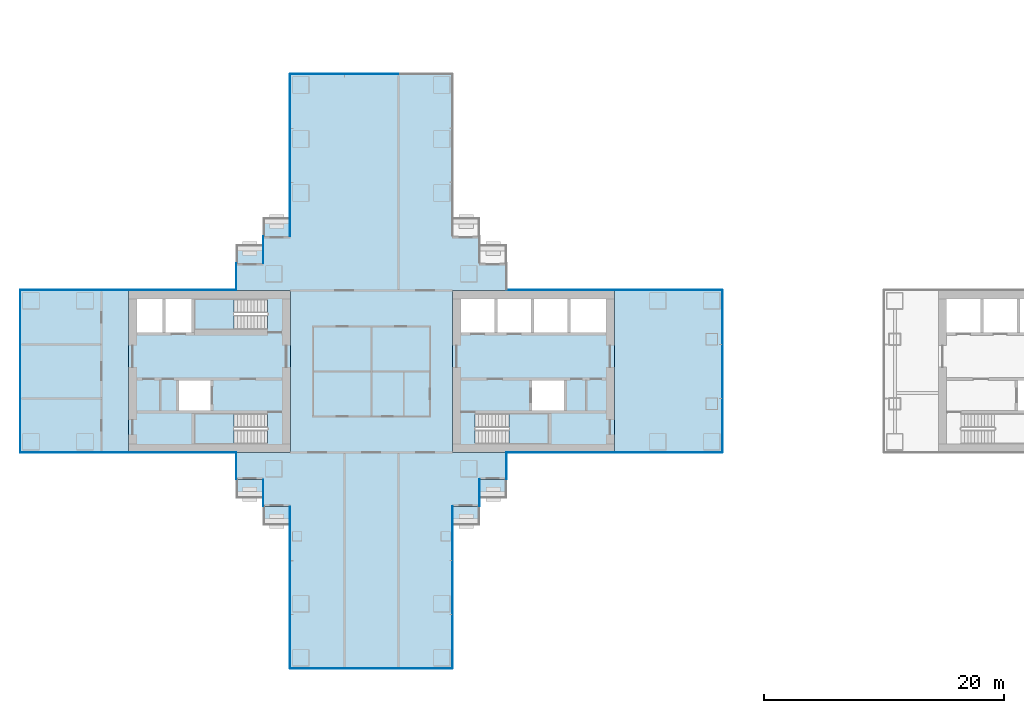
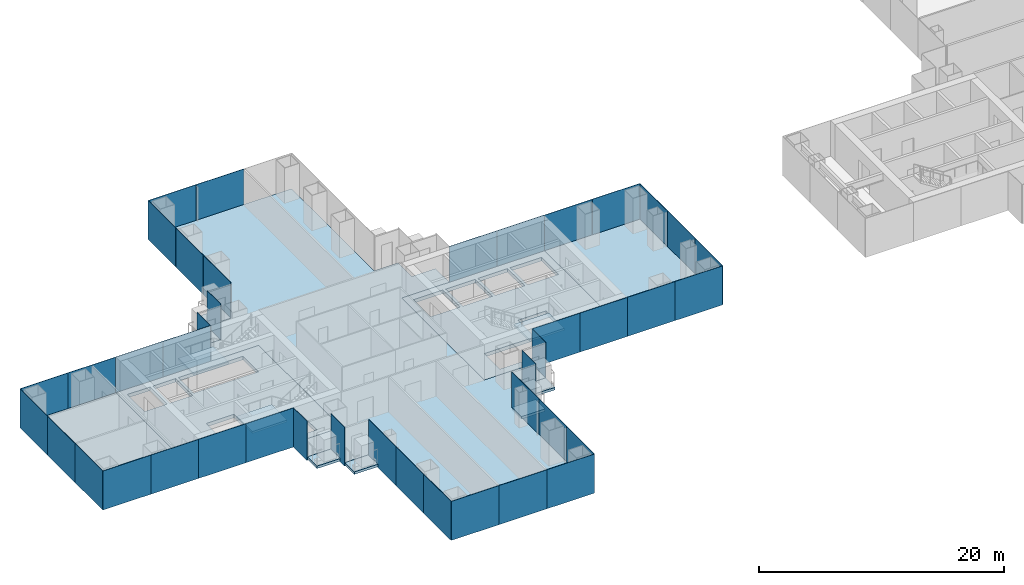
# One storey, part 10 of 21: 42 plates, 14 slabs, 21 elements without a shape of their own.
"""IFC4 building model written with IfcOpenShell, lengths in metres."""

from ifc_helpers import new_model, si_unit, direction, frame, origin, origin_2d, place, context, subcontext, project, spatial, polyline, rectangle, outline, extrude, material, layer, layer_set, type_object, element, aggregate, save


model = new_model("IFC4")

# Units and contexts
model_context = context("Model", 3, precision=1e-05, world=origin(), true_north=direction((0.0, 1.0)))
body_context = subcontext(model_context, "Body", "Model", "MODEL_VIEW")
ifc_project = project(units=[si_unit("LENGTHUNIT", "METRE"), si_unit("AREAUNIT", "SQUARE_METRE"), si_unit("VOLUMEUNIT", "CUBIC_METRE"), si_unit("PLANEANGLEUNIT", "RADIAN"), si_unit("MASSUNIT", "GRAM", prefix="KILO")], contexts=[model_context])

# Site, building, storey
site_placement = place(None, origin())
site = spatial("IfcSite", under=ifc_project, at=site_placement, CompositionType="ELEMENT")
building_placement = place(site_placement, origin())
building = spatial("IfcBuilding", under=site, at=building_placement, Name="Shamsa Quay Exchange Towers", CompositionType="ELEMENT")
storey_placement = place(building_placement, frame((0.0, 0.0, 42.0)))
storey = spatial("IfcBuildingStorey", under=building, at=storey_placement, Name="L08", CompositionType="ELEMENT", Elevation=42.0)

# Slabs
ifc_material_1 = material(Name="Precast concrete C40/50", Category="concrete")
ifc_layer_1 = layer(ifc_material_1, 0.25)
ifc_layer_set_1 = layer_set([ifc_layer_1], Name="BALCONY SLAB 250")
slab_type_1 = type_object("IfcSlabType", Name="BALCONY SLAB 250", PredefinedType="FLOOR", material=ifc_layer_set_1)
slab_1_placement = place(storey_placement, frame((0.0, 0.0, -0.25)))
element("IfcSlab", 1, at=slab_1_placement, inside=storey, type_object=slab_type_1, Name="Balcony T1-PKES L08", PredefinedType="FLOOR", context=body_context, shape_type="SweptSolid", body=[
    extrude(outline(polyline([(-24.7119140625, -9.0), (-22.5, -9.0), (-22.5, -10.550048828125), (-24.7119140625, -10.550048828125), (-24.7119140625, -9.0)])), origin(), (0.0, 0.0, 1.0), 0.25),
])
slab_2_placement = place(storey_placement, frame((0.0, 0.0, -0.25)))
element("IfcSlab", 2, at=slab_2_placement, inside=storey, type_object=slab_type_1, Name="Balcony T1-PKES L08", PredefinedType="FLOOR", context=body_context, shape_type="SweptSolid", body=[
    extrude(outline(polyline([(-26.9619140625, -11.25), (-24.75, -11.25), (-24.75, -12.800048828125), (-26.9619140625, -12.800048828125), (-26.9619140625, -11.25)])), origin(), (0.0, 0.0, 1.0), 0.25),
])
slab_3_placement = place(storey_placement, frame((0.0, 0.0, -0.25)))
element("IfcSlab", 3, at=slab_3_placement, inside=storey, type_object=slab_type_1, Name="Balcony T1-PKWN L08", PredefinedType="FLOOR", context=body_context, shape_type="SweptSolid", body=[
    extrude(outline(polyline([(-40.5380859375, 11.25), (-42.75, 11.25), (-42.75, 12.800048828125), (-40.5380859375, 12.800048828125), (-40.5380859375, 11.25)])), origin(), (0.0, 0.0, 1.0), 0.25),
])
slab_4_placement = place(storey_placement, frame((0.0, 0.0, -0.25)))
element("IfcSlab", 4, at=slab_4_placement, inside=storey, type_object=slab_type_1, Name="Balcony T1-PKWN L08", PredefinedType="FLOOR", context=body_context, shape_type="SweptSolid", body=[
    extrude(outline(polyline([(-42.7880859375, 9.0), (-45.0, 9.0), (-45.0, 10.550048828125), (-42.7880859375, 10.550048828125), (-42.7880859375, 9.0)])), origin(), (0.0, 0.0, 1.0), 0.25),
])
slab_5_placement = place(storey_placement, frame((0.0, 0.0, -0.25)))
element("IfcSlab", 5, at=slab_5_placement, inside=storey, type_object=slab_type_1, Name="Balcony T1-PKWS L08", PredefinedType="FLOOR", context=body_context, shape_type="SweptSolid", body=[
    extrude(outline(polyline([(-45.0, -9.0), (-42.7880859375, -9.0), (-42.7880859375, -10.550048828125), (-45.0, -10.550048828125), (-45.0, -9.0)])), origin(), (0.0, 0.0, 1.0), 0.25),
])
slab_6_placement = place(storey_placement, frame((0.0, 0.0, -0.25)))
element("IfcSlab", 6, at=slab_6_placement, inside=storey, type_object=slab_type_1, Name="Balcony T1-PKWS L08", PredefinedType="FLOOR", context=body_context, shape_type="SweptSolid", body=[
    extrude(outline(polyline([(-42.75, -11.25), (-40.5380859375, -11.25), (-40.5380859375, -12.800048828125), (-42.75, -12.800048828125), (-42.75, -11.25)])), origin(), (0.0, 0.0, 1.0), 0.25),
])
ifc_material_2 = material(Name="Concrete C50/60", Category="concrete")
ifc_layer_2 = layer(ifc_material_2, 0.35009765625)
ifc_layer_set_2 = layer_set([ifc_layer_2], Name="CORE FLOOR 350 C50/60")
slab_type_2 = type_object("IfcSlabType", Name="CORE FLOOR 350 C50/60", PredefinedType="FLOOR", material=ifc_layer_set_2)
slab_7_placement = place(storey_placement, frame((0.0, 0.0, -0.35009765625)))
element("IfcSlab", 7, at=slab_7_placement, inside=storey, type_object=slab_type_2, Name="Core floor T1A", PredefinedType="FLOOR", context=body_context, shape_type="SweptSolid", body=[
    extrude(outline(polyline([(-27.0, -6.75), (-13.5, -6.75), (-13.5, 6.75), (-27.0, 6.75), (-27.0, -6.75)]), holes=[polyline([(-25.099365234375, -6.050048828125), (-25.099365234375, -3.5), (-19.0, -3.5), (-19.0, -6.050048828125), (-25.099365234375, -6.050048828125)]), polyline([(-26.300048828125, 3.25), (-26.300048828125, 6.050048828125), (-23.5, 6.050048828125), (-23.5, 3.25), (-26.300048828125, 3.25)]), polyline([(-23.25, 3.25), (-23.25, 6.050048828125), (-20.449951171875, 6.050048828125), (-20.449951171875, 3.25), (-23.25, 3.25)]), polyline([(-20.199951171875, 3.25), (-20.199951171875, 6.050048828125), (-17.39990234375, 6.050048828125), (-17.39990234375, 3.25), (-20.199951171875, 3.25)]), polyline([(-17.14990234375, 3.25), (-17.14990234375, 6.050048828125), (-14.199951171875, 6.050048828125), (-14.199951171875, 3.25), (-17.14990234375, 3.25)]), polyline([(-20.35009765625, -3.25), (-20.35009765625, -0.75), (-17.699951171875, -0.75), (-17.699951171875, -3.25), (-20.35009765625, -3.25)])]), origin(), (0.0, 0.0, 1.0), 0.35009765625),
])
slab_8_placement = place(storey_placement, frame((0.0, 0.0, -0.35009765625)))
element("IfcSlab", 8, at=slab_8_placement, inside=storey, type_object=slab_type_2, Name="Core floor T1B", PredefinedType="FLOOR", context=body_context, shape_type="SweptSolid", body=[
    extrude(outline(polyline([(-40.5, -6.75), (-40.5, 6.75), (-54.0, 6.75), (-54.0, -6.75), (-40.5, -6.75)]), holes=[polyline([(-42.400634765625, -3.5), (-42.400634765625, -6.050048828125), (-48.5, -6.050048828125), (-48.5, -3.5), (-42.400634765625, -3.5)]), polyline([(-42.400634765625, 6.050048828125), (-42.400634765625, 3.5), (-48.5, 3.5), (-48.5, 6.050048828125), (-42.400634765625, 6.050048828125)]), polyline([(-48.75, 3.25), (-50.89990234375, 3.25), (-50.89990234375, 6.050048828125), (-48.75, 6.050048828125), (-48.75, 3.25)]), polyline([(-51.14990234375, 3.25), (-53.300048828125, 3.25), (-53.300048828125, 6.050048828125), (-51.14990234375, 6.050048828125), (-51.14990234375, 3.25)]), polyline([(-47.14990234375, -3.25), (-49.800048828125, -3.25), (-49.800048828125, -0.75), (-47.14990234375, -0.75), (-47.14990234375, -3.25)])]), origin(), (0.0, 0.0, 1.0), 0.35009765625),
])

# Stair, slab
ifc_material_3 = material(Name="Concrete C40/50", Category="concrete")
stair_type = type_object("IfcStairType", Name="EXIT STAIR 22 RISERS 177 MM", PredefinedType="HALF_TURN_STAIR", material=ifc_material_3)
stair_1_placement = place(storey_placement, origin())
stair_1 = element("IfcStair", 9, at=stair_1_placement, inside=storey, type_object=stair_type, Name="L08 Exit stair ST1", PredefinedType="HALF_TURN_STAIR")
ifc_layer_3 = layer(ifc_material_3, 0.199951171875)
ifc_layer_set_3 = layer_set([ifc_layer_3], Name="CORE STAIR LANDING")
slab_type_3 = type_object("IfcSlabType", Name="CORE STAIR LANDING", PredefinedType="LANDING", material=ifc_layer_set_3)
slab_9_placement = place(storey_placement, frame((0.0, 0.0, 1.75)))
slab_9 = element("IfcSlab", 10, at=slab_9_placement, type_object=slab_type_3, Name="ST1 landing 1", PredefinedType="LANDING", context=body_context, shape_type="SweptSolid", body=[
    extrude(outline(polyline([(-22.300048828125, -6.050048828125), (-19.0, -6.050048828125), (-19.0, -3.5), (-22.300048828125, -3.5), (-22.300048828125, -6.050048828125)])), origin(), (0.0, 0.0, 1.0), 0.199951171875),
])
aggregate(stair_1, [slab_9])

stair_2_placement = place(storey_placement, origin())
stair_2 = element("IfcStair", 11, at=stair_2_placement, inside=storey, type_object=stair_type, Name="L08 Exit stair ST2", PredefinedType="HALF_TURN_STAIR")
slab_10_placement = place(storey_placement, frame((0.0, 0.0, 1.75)))
slab_10 = element("IfcSlab", 12, at=slab_10_placement, type_object=slab_type_3, Name="ST2 landing 1", PredefinedType="LANDING", context=body_context, shape_type="SweptSolid", body=[
    extrude(outline(polyline([(-45.199951171875, -3.5), (-48.5, -3.5), (-48.5, -6.050048828125), (-45.199951171875, -6.050048828125), (-45.199951171875, -3.5)])), origin(), (0.0, 0.0, 1.0), 0.199951171875),
])
aggregate(stair_2, [slab_10])

stair_3_placement = place(storey_placement, origin())
stair_3 = element("IfcStair", 13, at=stair_3_placement, inside=storey, type_object=stair_type, Name="L08 Exit stair ST3", PredefinedType="HALF_TURN_STAIR")
slab_11_placement = place(storey_placement, frame((0.0, 0.0, 1.75)))
slab_11 = element("IfcSlab", 14, at=slab_11_placement, type_object=slab_type_3, Name="ST3 landing 1", PredefinedType="LANDING", context=body_context, shape_type="SweptSolid", body=[
    extrude(outline(polyline([(-45.199951171875, 6.050048828125), (-48.5, 6.050048828125), (-48.5, 3.5), (-45.199951171875, 3.5), (-45.199951171875, 6.050048828125)])), origin(), (0.0, 0.0, 1.0), 0.199951171875),
])
aggregate(stair_3, [slab_11])

# Curtain wall, plates
ifc_material_4 = material(Name="Aluminium EN AW-6063 T6, black anodised", Category="aluminium")
ifc_layer_4 = layer(ifc_material_4, 0.280029296875)
ifc_layer_set_4 = layer_set([ifc_layer_4], Name="CW-1 UNITISED VISION GLASS")
curtain_wall_type_1 = type_object("IfcCurtainWallType", Name="CW-1 UNITISED VISION GLASS", PredefinedType="NOTDEFINED", material=ifc_layer_set_4)
curtain_wall_1_placement = place(storey_placement, origin())
curtain_wall_1 = element("IfcCurtainWall", 15, at=curtain_wall_1_placement, inside=storey, type_object=curtain_wall_type_1, Name="CW1 T1-FLK-V-W L08", PredefinedType="NOTDEFINED")
ifc_material_5 = material(Name="Glass, laminated, dark tinted", Category="glass")
ifc_layer_5 = layer(ifc_material_5, 0.0400390625)
ifc_layer_set_5 = layer_set([ifc_layer_5], Name="CW-1 VISION GLASS 40")
plate_type_1 = type_object("IfcPlateType", Name="CW-1 VISION GLASS 40", PredefinedType="CURTAIN_PANEL", material=ifc_layer_set_5)
plate_1_placement = place(storey_placement, frame((-40.52001953125, -13.529052734375, -0.349853515625), z_axis=(0.0, 0.0, 1.0), x_axis=(0.0, -1.0, 0.0)))
plate_1 = element("IfcPlate", 16, at=plate_1_placement, type_object=plate_type_1, Name="CW1 glass panel", PredefinedType="CURTAIN_PANEL", context=body_context, shape_type="SweptSolid", body=[
    extrude(rectangle(XDim=4.482421875, YDim=0.0400390625, at=origin_2d()), origin(), (0.0, 0.0, 1.0), 3.89990234375),
])
plate_2_placement = place(storey_placement, frame((-40.52001953125, -18.01904296875, -0.349853515625), z_axis=(0.0, 0.0, 1.0), x_axis=(0.0, -1.0, 0.0)))
plate_2 = element("IfcPlate", 17, at=plate_2_placement, type_object=plate_type_1, Name="CW1 glass panel", PredefinedType="CURTAIN_PANEL", context=body_context, shape_type="SweptSolid", body=[
    extrude(rectangle(XDim=4.477294921875, YDim=0.0400390625, at=origin_2d()), origin(), (0.0, 0.0, 1.0), 3.89990234375),
])
plate_3_placement = place(storey_placement, frame((-40.52001953125, -22.5087890625, -0.349853515625), z_axis=(0.0, 0.0, 1.0), x_axis=(0.0, -1.0, 0.0)))
plate_3 = element("IfcPlate", 18, at=plate_3_placement, type_object=plate_type_1, Name="CW1 glass panel", PredefinedType="CURTAIN_PANEL", context=body_context, shape_type="SweptSolid", body=[
    extrude(rectangle(XDim=4.482421875, YDim=0.0400390625, at=origin_2d()), origin(), (0.0, 0.0, 1.0), 3.89990234375),
])
aggregate(curtain_wall_1, [plate_1, plate_2, plate_3])

curtain_wall_2_placement = place(storey_placement, origin())
curtain_wall_2 = element("IfcCurtainWall", 19, at=curtain_wall_2_placement, inside=storey, type_object=curtain_wall_type_1, Name="CW1 T1-END-V- L08", PredefinedType="NOTDEFINED")
plate_4_placement = place(storey_placement, frame((-38.25244140625, -24.77001953125, -0.349853515625)))
plate_4 = element("IfcPlate", 20, at=plate_4_placement, type_object=plate_type_1, Name="CW1 glass panel", PredefinedType="CURTAIN_PANEL", context=body_context, shape_type="SweptSolid", body=[
    extrude(rectangle(XDim=4.4951171875, YDim=0.0400390625, at=origin_2d()), origin(), (0.0, 0.0, 1.0), 3.89990234375),
])
plate_5_placement = place(storey_placement, frame((-33.75, -24.77001953125, -0.349853515625)))
plate_5 = element("IfcPlate", 21, at=plate_5_placement, type_object=plate_type_1, Name="CW1 glass panel", PredefinedType="CURTAIN_PANEL", context=body_context, shape_type="SweptSolid", body=[
    extrude(rectangle(XDim=4.489990234375, YDim=0.0400390625, at=origin_2d()), origin(), (0.0, 0.0, 1.0), 3.89990234375),
])
plate_6_placement = place(storey_placement, frame((-29.24755859375, -24.77001953125, -0.349853515625)))
plate_6 = element("IfcPlate", 22, at=plate_6_placement, type_object=plate_type_1, Name="CW1 glass panel", PredefinedType="CURTAIN_PANEL", context=body_context, shape_type="SweptSolid", body=[
    extrude(rectangle(XDim=4.4951171875, YDim=0.0400390625, at=origin_2d()), origin(), (0.0, 0.0, 1.0), 3.89990234375),
])
aggregate(curtain_wall_2, [plate_4, plate_5, plate_6])

curtain_wall_3_placement = place(storey_placement, origin())
curtain_wall_3 = element("IfcCurtainWall", 23, at=curtain_wall_3_placement, inside=storey, type_object=curtain_wall_type_1, Name="CW1 T1-FLK-V-E L08", PredefinedType="NOTDEFINED")
plate_7_placement = place(storey_placement, frame((-26.97998046875, -22.50244140625, -0.349853515625), z_axis=(0.0, 0.0, 1.0), x_axis=(0.0, 1.0, 0.0)))
plate_7 = element("IfcPlate", 24, at=plate_7_placement, type_object=plate_type_1, Name="CW1 glass panel", PredefinedType="CURTAIN_PANEL", context=body_context, shape_type="SweptSolid", body=[
    extrude(rectangle(XDim=4.4951171875, YDim=0.0400390625, at=origin_2d()), origin(), (0.0, 0.0, 1.0), 3.89990234375),
])
plate_8_placement = place(storey_placement, frame((-26.97998046875, -18.0, -0.349853515625), z_axis=(0.0, 0.0, 1.0), x_axis=(0.0, 1.0, 0.0)))
plate_8 = element("IfcPlate", 25, at=plate_8_placement, type_object=plate_type_1, Name="CW1 glass panel", PredefinedType="CURTAIN_PANEL", context=body_context, shape_type="SweptSolid", body=[
    extrude(rectangle(XDim=4.489990234375, YDim=0.0400390625, at=origin_2d()), origin(), (0.0, 0.0, 1.0), 3.89990234375),
])
plate_9_placement = place(storey_placement, frame((-26.97998046875, -13.49755859375, -0.349853515625), z_axis=(0.0, 0.0, 1.0), x_axis=(0.0, 1.0, 0.0)))
plate_9 = element("IfcPlate", 26, at=plate_9_placement, type_object=plate_type_1, Name="CW1 glass panel", PredefinedType="CURTAIN_PANEL", context=body_context, shape_type="SweptSolid", body=[
    extrude(rectangle(XDim=4.4951171875, YDim=0.0400390625, at=origin_2d()), origin(), (0.0, 0.0, 1.0), 3.89990234375),
])
aggregate(curtain_wall_3, [plate_7, plate_8, plate_9])

curtain_wall_4_placement = place(storey_placement, origin())
curtain_wall_4 = element("IfcCurtainWall", 27, at=curtain_wall_4_placement, inside=storey, type_object=curtain_wall_type_1, Name="CW1 T1-FLK-U+S L08", PredefinedType="NOTDEFINED")
plate_10_placement = place(storey_placement, frame((-11.25244140625, -6.77001953125, -0.349853515625)))
plate_10 = element("IfcPlate", 28, at=plate_10_placement, type_object=plate_type_1, Name="CW1 glass panel", PredefinedType="CURTAIN_PANEL", context=body_context, shape_type="SweptSolid", body=[
    extrude(rectangle(XDim=4.4951171875, YDim=0.0400390625, at=origin_2d()), origin(), (0.0, 0.0, 1.0), 3.89990234375),
])
plate_11_placement = place(storey_placement, frame((-6.74755859375, -6.77001953125, -0.349853515625)))
plate_11 = element("IfcPlate", 29, at=plate_11_placement, type_object=plate_type_1, Name="CW1 glass panel", PredefinedType="CURTAIN_PANEL", context=body_context, shape_type="SweptSolid", body=[
    extrude(rectangle(XDim=4.4951171875, YDim=0.0400390625, at=origin_2d()), origin(), (0.0, 0.0, 1.0), 3.89990234375),
])
aggregate(curtain_wall_4, [plate_10, plate_11])

curtain_wall_5_placement = place(storey_placement, origin())
curtain_wall_5 = element("IfcCurtainWall", 30, at=curtain_wall_5_placement, inside=storey, type_object=curtain_wall_type_1, Name="CW1 T1-END-U+ L08", PredefinedType="NOTDEFINED")
plate_12_placement = place(storey_placement, frame((-4.47998046875, -4.50244140625, -0.349853515625), z_axis=(0.0, 0.0, 1.0), x_axis=(0.0, 1.0, 0.0)))
plate_12 = element("IfcPlate", 31, at=plate_12_placement, type_object=plate_type_1, Name="CW1 glass panel", PredefinedType="CURTAIN_PANEL", context=body_context, shape_type="SweptSolid", body=[
    extrude(rectangle(XDim=4.4951171875, YDim=0.0400390625, at=origin_2d()), origin(), (0.0, 0.0, 1.0), 3.89990234375),
])
plate_13_placement = place(storey_placement, frame((-4.47998046875, 0.0, -0.349853515625), z_axis=(0.0, 0.0, 1.0), x_axis=(0.0, 1.0, 0.0)))
plate_13 = element("IfcPlate", 32, at=plate_13_placement, type_object=plate_type_1, Name="CW1 glass panel", PredefinedType="CURTAIN_PANEL", context=body_context, shape_type="SweptSolid", body=[
    extrude(rectangle(XDim=4.489990234375, YDim=0.0400390625, at=origin_2d()), origin(), (0.0, 0.0, 1.0), 3.89990234375),
])
plate_14_placement = place(storey_placement, frame((-4.47998046875, 4.50244140625, -0.349853515625), z_axis=(0.0, 0.0, 1.0), x_axis=(0.0, 1.0, 0.0)))
plate_14 = element("IfcPlate", 33, at=plate_14_placement, type_object=plate_type_1, Name="CW1 glass panel", PredefinedType="CURTAIN_PANEL", context=body_context, shape_type="SweptSolid", body=[
    extrude(rectangle(XDim=4.4951171875, YDim=0.0400390625, at=origin_2d()), origin(), (0.0, 0.0, 1.0), 3.89990234375),
])
aggregate(curtain_wall_5, [plate_12, plate_13, plate_14])

curtain_wall_6_placement = place(storey_placement, origin())
curtain_wall_6 = element("IfcCurtainWall", 34, at=curtain_wall_6_placement, inside=storey, type_object=curtain_wall_type_1, Name="CW1 T1-FLK-U+N L08", PredefinedType="NOTDEFINED")
plate_15_placement = place(storey_placement, frame((-6.74755859375, 6.77001953125, -0.349853515625), z_axis=(0.0, 0.0, 1.0), x_axis=(-1.0, 0.0, 0.0)))
plate_15 = element("IfcPlate", 35, at=plate_15_placement, type_object=plate_type_1, Name="CW1 glass panel", PredefinedType="CURTAIN_PANEL", context=body_context, shape_type="SweptSolid", body=[
    extrude(rectangle(XDim=4.4951171875, YDim=0.0400390625, at=origin_2d()), origin(), (0.0, 0.0, 1.0), 3.89990234375),
])
plate_16_placement = place(storey_placement, frame((-11.25244140625, 6.77001953125, -0.349853515625), z_axis=(0.0, 0.0, 1.0), x_axis=(-1.0, 0.0, 0.0)))
plate_16 = element("IfcPlate", 36, at=plate_16_placement, type_object=plate_type_1, Name="CW1 glass panel", PredefinedType="CURTAIN_PANEL", context=body_context, shape_type="SweptSolid", body=[
    extrude(rectangle(XDim=4.4951171875, YDim=0.0400390625, at=origin_2d()), origin(), (0.0, 0.0, 1.0), 3.89990234375),
])
aggregate(curtain_wall_6, [plate_15, plate_16])

curtain_wall_7_placement = place(storey_placement, origin())
curtain_wall_7 = element("IfcCurtainWall", 37, at=curtain_wall_7_placement, inside=storey, type_object=curtain_wall_type_1, Name="CW1 T1-END-V+ L08", PredefinedType="NOTDEFINED")
plate_17_placement = place(storey_placement, frame((-33.75, 24.77001953125, -0.349853515625), z_axis=(0.0, 0.0, 1.0), x_axis=(-1.0, 0.0, 0.0)))
plate_17 = element("IfcPlate", 38, at=plate_17_placement, type_object=plate_type_1, Name="CW1 glass panel", PredefinedType="CURTAIN_PANEL", context=body_context, shape_type="SweptSolid", body=[
    extrude(rectangle(XDim=4.489990234375, YDim=0.0400390625, at=origin_2d()), origin(), (0.0, 0.0, 1.0), 3.89990234375),
])
plate_18_placement = place(storey_placement, frame((-38.25244140625, 24.77001953125, -0.349853515625), z_axis=(0.0, 0.0, 1.0), x_axis=(-1.0, 0.0, 0.0)))
plate_18 = element("IfcPlate", 39, at=plate_18_placement, type_object=plate_type_1, Name="CW1 glass panel", PredefinedType="CURTAIN_PANEL", context=body_context, shape_type="SweptSolid", body=[
    extrude(rectangle(XDim=4.4951171875, YDim=0.0400390625, at=origin_2d()), origin(), (0.0, 0.0, 1.0), 3.89990234375),
])
aggregate(curtain_wall_7, [plate_17, plate_18])

curtain_wall_8_placement = place(storey_placement, origin())
curtain_wall_8 = element("IfcCurtainWall", 40, at=curtain_wall_8_placement, inside=storey, type_object=curtain_wall_type_1, Name="CW1 T1-FLK-V+W L08", PredefinedType="NOTDEFINED")
plate_19_placement = place(storey_placement, frame((-40.52001953125, 22.50244140625, -0.349853515625), z_axis=(0.0, 0.0, 1.0), x_axis=(0.0, -1.0, 0.0)))
plate_19 = element("IfcPlate", 41, at=plate_19_placement, type_object=plate_type_1, Name="CW1 glass panel", PredefinedType="CURTAIN_PANEL", context=body_context, shape_type="SweptSolid", body=[
    extrude(rectangle(XDim=4.4951171875, YDim=0.0400390625, at=origin_2d()), origin(), (0.0, 0.0, 1.0), 3.89990234375),
])
plate_20_placement = place(storey_placement, frame((-40.52001953125, 18.0, -0.349853515625), z_axis=(0.0, 0.0, 1.0), x_axis=(0.0, -1.0, 0.0)))
plate_20 = element("IfcPlate", 42, at=plate_20_placement, type_object=plate_type_1, Name="CW1 glass panel", PredefinedType="CURTAIN_PANEL", context=body_context, shape_type="SweptSolid", body=[
    extrude(rectangle(XDim=4.489990234375, YDim=0.0400390625, at=origin_2d()), origin(), (0.0, 0.0, 1.0), 3.89990234375),
])
plate_21_placement = place(storey_placement, frame((-40.52001953125, 13.49755859375, -0.349853515625), z_axis=(0.0, 0.0, 1.0), x_axis=(0.0, -1.0, 0.0)))
plate_21 = element("IfcPlate", 43, at=plate_21_placement, type_object=plate_type_1, Name="CW1 glass panel", PredefinedType="CURTAIN_PANEL", context=body_context, shape_type="SweptSolid", body=[
    extrude(rectangle(XDim=4.4951171875, YDim=0.0400390625, at=origin_2d()), origin(), (0.0, 0.0, 1.0), 3.89990234375),
])
aggregate(curtain_wall_8, [plate_19, plate_20, plate_21])

curtain_wall_9_placement = place(storey_placement, origin())
curtain_wall_9 = element("IfcCurtainWall", 44, at=curtain_wall_9_placement, inside=storey, type_object=curtain_wall_type_1, Name="CW1 T1-FLK-U-N L08", PredefinedType="NOTDEFINED")
plate_22_placement = place(storey_placement, frame((-56.24755859375, 6.77001953125, -0.349853515625), z_axis=(0.0, 0.0, 1.0), x_axis=(-1.0, 0.0, 0.0)))
plate_22 = element("IfcPlate", 45, at=plate_22_placement, type_object=plate_type_1, Name="CW1 glass panel", PredefinedType="CURTAIN_PANEL", context=body_context, shape_type="SweptSolid", body=[
    extrude(rectangle(XDim=4.4951171875, YDim=0.0400390625, at=origin_2d()), origin(), (0.0, 0.0, 1.0), 3.89990234375),
])
plate_23_placement = place(storey_placement, frame((-60.75244140625, 6.77001953125, -0.349853515625), z_axis=(0.0, 0.0, 1.0), x_axis=(-1.0, 0.0, 0.0)))
plate_23 = element("IfcPlate", 46, at=plate_23_placement, type_object=plate_type_1, Name="CW1 glass panel", PredefinedType="CURTAIN_PANEL", context=body_context, shape_type="SweptSolid", body=[
    extrude(rectangle(XDim=4.4951171875, YDim=0.0400390625, at=origin_2d()), origin(), (0.0, 0.0, 1.0), 3.89990234375),
])
aggregate(curtain_wall_9, [plate_22, plate_23])

curtain_wall_10_placement = place(storey_placement, origin())
curtain_wall_10 = element("IfcCurtainWall", 47, at=curtain_wall_10_placement, inside=storey, type_object=curtain_wall_type_1, Name="CW1 T1-END-U- L08", PredefinedType="NOTDEFINED")
plate_24_placement = place(storey_placement, frame((-63.02001953125, 4.50244140625, -0.349853515625), z_axis=(0.0, 0.0, 1.0), x_axis=(0.0, -1.0, 0.0)))
plate_24 = element("IfcPlate", 48, at=plate_24_placement, type_object=plate_type_1, Name="CW1 glass panel", PredefinedType="CURTAIN_PANEL", context=body_context, shape_type="SweptSolid", body=[
    extrude(rectangle(XDim=4.4951171875, YDim=0.0400390625, at=origin_2d()), origin(), (0.0, 0.0, 1.0), 3.89990234375),
])
plate_25_placement = place(storey_placement, frame((-63.02001953125, 0.0, -0.349853515625), z_axis=(0.0, 0.0, 1.0), x_axis=(0.0, -1.0, 0.0)))
plate_25 = element("IfcPlate", 49, at=plate_25_placement, type_object=plate_type_1, Name="CW1 glass panel", PredefinedType="CURTAIN_PANEL", context=body_context, shape_type="SweptSolid", body=[
    extrude(rectangle(XDim=4.489990234375, YDim=0.0400390625, at=origin_2d()), origin(), (0.0, 0.0, 1.0), 3.89990234375),
])
plate_26_placement = place(storey_placement, frame((-63.02001953125, -4.50244140625, -0.349853515625), z_axis=(0.0, 0.0, 1.0), x_axis=(0.0, -1.0, 0.0)))
plate_26 = element("IfcPlate", 50, at=plate_26_placement, type_object=plate_type_1, Name="CW1 glass panel", PredefinedType="CURTAIN_PANEL", context=body_context, shape_type="SweptSolid", body=[
    extrude(rectangle(XDim=4.4951171875, YDim=0.0400390625, at=origin_2d()), origin(), (0.0, 0.0, 1.0), 3.89990234375),
])
aggregate(curtain_wall_10, [plate_24, plate_25, plate_26])

curtain_wall_11_placement = place(storey_placement, origin())
curtain_wall_11 = element("IfcCurtainWall", 51, at=curtain_wall_11_placement, inside=storey, type_object=curtain_wall_type_1, Name="CW1 T1-FLK-U-S L08", PredefinedType="NOTDEFINED")
plate_27_placement = place(storey_placement, frame((-60.75244140625, -6.77001953125, -0.349853515625)))
plate_27 = element("IfcPlate", 52, at=plate_27_placement, type_object=plate_type_1, Name="CW1 glass panel", PredefinedType="CURTAIN_PANEL", context=body_context, shape_type="SweptSolid", body=[
    extrude(rectangle(XDim=4.4951171875, YDim=0.0400390625, at=origin_2d()), origin(), (0.0, 0.0, 1.0), 3.89990234375),
])
plate_28_placement = place(storey_placement, frame((-56.24755859375, -6.77001953125, -0.349853515625)))
plate_28 = element("IfcPlate", 53, at=plate_28_placement, type_object=plate_type_1, Name="CW1 glass panel", PredefinedType="CURTAIN_PANEL", context=body_context, shape_type="SweptSolid", body=[
    extrude(rectangle(XDim=4.4951171875, YDim=0.0400390625, at=origin_2d()), origin(), (0.0, 0.0, 1.0), 3.89990234375),
])
aggregate(curtain_wall_11, [plate_27, plate_28])

ifc_layer_6 = layer(ifc_material_4, 0.303955078125)
ifc_layer_set_6 = layer_set([ifc_layer_6], Name="CW-2 UNITISED OPAQUE SPANDREL GLASS")
curtain_wall_type_2 = type_object("IfcCurtainWallType", Name="CW-2 UNITISED OPAQUE SPANDREL GLASS", PredefinedType="NOTDEFINED", material=ifc_layer_set_6)
curtain_wall_12_placement = place(storey_placement, origin())
curtain_wall_12 = element("IfcCurtainWall", 54, at=curtain_wall_12_placement, inside=storey, type_object=curtain_wall_type_2, Name="CW2 T1-FLK-U+S L08", PredefinedType="NOTDEFINED")
ifc_material_6 = material(Name="Glass, laminated, black enamelled opaque", Category="glass")
ifc_layer_7 = layer(ifc_material_6, 0.0439453125)
ifc_layer_set_7 = layer_set([ifc_layer_7], Name="CW-2 SPANDREL GLASS 44")
plate_type_2 = type_object("IfcPlateType", Name="CW-2 SPANDREL GLASS 44", PredefinedType="CURTAIN_PANEL", material=ifc_layer_set_7)
plate_29_placement = place(storey_placement, frame((-20.22412109375, -6.77197265625, -0.349853515625)))
plate_29 = element("IfcPlate", 55, at=plate_29_placement, type_object=plate_type_2, Name="CW2 glass panel", PredefinedType="CURTAIN_PANEL", context=body_context, shape_type="SweptSolid", body=[
    extrude(rectangle(XDim=4.47607421875, YDim=0.0439453125, at=origin_2d()), origin(), (0.0, 0.0, 1.0), 3.89990234375),
])
plate_30_placement = place(storey_placement, frame((-15.738037109375, -6.77197265625, -0.349853515625)))
plate_30 = element("IfcPlate", 56, at=plate_30_placement, type_object=plate_type_2, Name="CW2 glass panel", PredefinedType="CURTAIN_PANEL", context=body_context, shape_type="SweptSolid", body=[
    extrude(rectangle(XDim=4.47607421875, YDim=0.0439453125, at=origin_2d()), origin(), (0.0, 0.0, 1.0), 3.89990234375),
])
aggregate(curtain_wall_12, [plate_29, plate_30])

curtain_wall_13_placement = place(storey_placement, origin())
curtain_wall_13 = element("IfcCurtainWall", 57, at=curtain_wall_13_placement, inside=storey, type_object=curtain_wall_type_2, Name="CW2 T1-FLK-U+N L08", PredefinedType="NOTDEFINED")
plate_31_placement = place(storey_placement, frame((-15.74755859375, 6.77197265625, -0.349853515625), z_axis=(0.0, 0.0, 1.0), x_axis=(-1.0, 0.0, 0.0)))
plate_31 = element("IfcPlate", 58, at=plate_31_placement, type_object=plate_type_2, Name="CW2 glass panel", PredefinedType="CURTAIN_PANEL", context=body_context, shape_type="SweptSolid", body=[
    extrude(rectangle(XDim=4.4951171875, YDim=0.0439453125, at=origin_2d()), origin(), (0.0, 0.0, 1.0), 3.89990234375),
])
plate_32_placement = place(storey_placement, frame((-20.25244140625, 6.77197265625, -0.349853515625), z_axis=(0.0, 0.0, 1.0), x_axis=(-1.0, 0.0, 0.0)))
plate_32 = element("IfcPlate", 59, at=plate_32_placement, type_object=plate_type_2, Name="CW2 glass panel", PredefinedType="CURTAIN_PANEL", context=body_context, shape_type="SweptSolid", body=[
    extrude(rectangle(XDim=4.4951171875, YDim=0.0439453125, at=origin_2d()), origin(), (0.0, 0.0, 1.0), 3.89990234375),
])
aggregate(curtain_wall_13, [plate_31, plate_32])

curtain_wall_14_placement = place(storey_placement, origin())
curtain_wall_14 = element("IfcCurtainWall", 60, at=curtain_wall_14_placement, inside=storey, type_object=curtain_wall_type_2, Name="CW2 T1-FLK-U-N L08", PredefinedType="NOTDEFINED")
plate_33_placement = place(storey_placement, frame((-47.27587890625, 6.77197265625, -0.349853515625), z_axis=(0.0, 0.0, 1.0), x_axis=(-1.0, 0.0, 0.0)))
plate_33 = element("IfcPlate", 61, at=plate_33_placement, type_object=plate_type_2, Name="CW2 glass panel", PredefinedType="CURTAIN_PANEL", context=body_context, shape_type="SweptSolid", body=[
    extrude(rectangle(XDim=4.47607421875, YDim=0.0439453125, at=origin_2d()), origin(), (0.0, 0.0, 1.0), 3.89990234375),
])
plate_34_placement = place(storey_placement, frame((-51.761962890625, 6.77197265625, -0.349853515625), z_axis=(0.0, 0.0, 1.0), x_axis=(-1.0, 0.0, 0.0)))
plate_34 = element("IfcPlate", 62, at=plate_34_placement, type_object=plate_type_2, Name="CW2 glass panel", PredefinedType="CURTAIN_PANEL", context=body_context, shape_type="SweptSolid", body=[
    extrude(rectangle(XDim=4.47607421875, YDim=0.0439453125, at=origin_2d()), origin(), (0.0, 0.0, 1.0), 3.89990234375),
])
aggregate(curtain_wall_14, [plate_33, plate_34])

curtain_wall_15_placement = place(storey_placement, origin())
curtain_wall_15 = element("IfcCurtainWall", 63, at=curtain_wall_15_placement, inside=storey, type_object=curtain_wall_type_2, Name="CW2 T1-FLK-U-S L08", PredefinedType="NOTDEFINED")
plate_35_placement = place(storey_placement, frame((-51.75244140625, -6.77197265625, -0.349853515625)))
plate_35 = element("IfcPlate", 64, at=plate_35_placement, type_object=plate_type_2, Name="CW2 glass panel", PredefinedType="CURTAIN_PANEL", context=body_context, shape_type="SweptSolid", body=[
    extrude(rectangle(XDim=4.4951171875, YDim=0.0439453125, at=origin_2d()), origin(), (0.0, 0.0, 1.0), 3.89990234375),
])
plate_36_placement = place(storey_placement, frame((-47.24755859375, -6.77197265625, -0.349853515625)))
plate_36 = element("IfcPlate", 65, at=plate_36_placement, type_object=plate_type_2, Name="CW2 glass panel", PredefinedType="CURTAIN_PANEL", context=body_context, shape_type="SweptSolid", body=[
    extrude(rectangle(XDim=4.4951171875, YDim=0.0439453125, at=origin_2d()), origin(), (0.0, 0.0, 1.0), 3.89990234375),
])
aggregate(curtain_wall_15, [plate_35, plate_36])

ifc_layer_8 = layer(ifc_material_4, 0.256103515625)
ifc_layer_set_8 = layer_set([ifc_layer_8], Name="CW-4 POCKET SERRATED GLAZING")
curtain_wall_type_3 = type_object("IfcCurtainWallType", Name="CW-4 POCKET SERRATED GLAZING", PredefinedType="NOTDEFINED", material=ifc_layer_set_8)
curtain_wall_16_placement = place(storey_placement, origin())
curtain_wall_16 = element("IfcCurtainWall", 66, at=curtain_wall_16_placement, inside=storey, type_object=curtain_wall_type_3, Name="CW4 PKWS L08", PredefinedType="NOTDEFINED")
ifc_layer_9 = layer(ifc_material_5, 0.035888671875)
ifc_layer_set_9 = layer_set([ifc_layer_9], Name="CW-4 POCKET GLASS 36")
plate_type_3 = type_object("IfcPlateType", Name="CW-4 POCKET GLASS 36", PredefinedType="CURTAIN_PANEL", material=ifc_layer_set_9)
plate_37_placement = place(storey_placement, frame((-42.76806640625, -10.14404296875, -0.349853515625), z_axis=(0.0, 0.0, 1.0), x_axis=(0.0, -1.0, 0.0)))
plate_37 = element("IfcPlate", 67, at=plate_37_placement, type_object=plate_type_3, Name="CW4 glass panel", PredefinedType="CURTAIN_PANEL", context=body_context, shape_type="SweptSolid", body=[
    extrude(rectangle(XDim=2.2119140625, YDim=0.035888671875, at=origin_2d()), origin(), (0.0, 0.0, 1.0), 3.89990234375),
])
plate_38_placement = place(storey_placement, frame((-45.01806640625, -7.89794921875, -0.349853515625), z_axis=(0.0, 0.0, 1.0), x_axis=(0.0, -1.0, 0.0)))
plate_38 = element("IfcPlate", 68, at=plate_38_placement, type_object=plate_type_3, Name="CW4 glass panel", PredefinedType="CURTAIN_PANEL", context=body_context, shape_type="SweptSolid", body=[
    extrude(rectangle(XDim=2.2041015625, YDim=0.035888671875, at=origin_2d()), origin(), (0.0, 0.0, 1.0), 3.89990234375),
])
aggregate(curtain_wall_16, [plate_37, plate_38])

curtain_wall_17_placement = place(storey_placement, origin())
curtain_wall_17 = element("IfcCurtainWall", 69, at=curtain_wall_17_placement, inside=storey, type_object=curtain_wall_type_3, Name="CW4 PKES L08", PredefinedType="NOTDEFINED")
plate_39_placement = place(storey_placement, frame((-24.73193359375, -10.125, -0.349853515625), z_axis=(0.0, 0.0, 1.0), x_axis=(0.0, 1.0, 0.0)))
plate_39 = element("IfcPlate", 70, at=plate_39_placement, type_object=plate_type_3, Name="CW4 glass panel", PredefinedType="CURTAIN_PANEL", context=body_context, shape_type="SweptSolid", body=[
    extrude(rectangle(XDim=2.25, YDim=0.035888671875, at=origin_2d()), origin(), (0.0, 0.0, 1.0), 3.89990234375),
])
plate_40_placement = place(storey_placement, frame((-22.48193359375, -7.875, -0.349853515625), z_axis=(0.0, 0.0, 1.0), x_axis=(0.0, 1.0, 0.0)))
plate_40 = element("IfcPlate", 71, at=plate_40_placement, type_object=plate_type_3, Name="CW4 glass panel", PredefinedType="CURTAIN_PANEL", context=body_context, shape_type="SweptSolid", body=[
    extrude(rectangle(XDim=2.25, YDim=0.035888671875, at=origin_2d()), origin(), (0.0, 0.0, 1.0), 3.89990234375),
])
aggregate(curtain_wall_17, [plate_39, plate_40])

curtain_wall_18_placement = place(storey_placement, origin())
curtain_wall_18 = element("IfcCurtainWall", 72, at=curtain_wall_18_placement, inside=storey, type_object=curtain_wall_type_3, Name="CW4 PKWN L08", PredefinedType="NOTDEFINED")
plate_41_placement = place(storey_placement, frame((-42.76806640625, 10.125, -0.349853515625), z_axis=(0.0, 0.0, 1.0), x_axis=(0.0, -1.0, 0.0)))
plate_41 = element("IfcPlate", 73, at=plate_41_placement, type_object=plate_type_3, Name="CW4 glass panel", PredefinedType="CURTAIN_PANEL", context=body_context, shape_type="SweptSolid", body=[
    extrude(rectangle(XDim=2.25, YDim=0.035888671875, at=origin_2d()), origin(), (0.0, 0.0, 1.0), 3.89990234375),
])
plate_42_placement = place(storey_placement, frame((-45.01806640625, 7.875, -0.349853515625), z_axis=(0.0, 0.0, 1.0), x_axis=(0.0, -1.0, 0.0)))
plate_42 = element("IfcPlate", 74, at=plate_42_placement, type_object=plate_type_3, Name="CW4 glass panel", PredefinedType="CURTAIN_PANEL", context=body_context, shape_type="SweptSolid", body=[
    extrude(rectangle(XDim=2.25, YDim=0.035888671875, at=origin_2d()), origin(), (0.0, 0.0, 1.0), 3.89990234375),
])
aggregate(curtain_wall_18, [plate_41, plate_42])

# Slabs
ifc_layer_10 = layer(ifc_material_3, 0.35009765625)
ifc_layer_set_10 = layer_set([ifc_layer_10], Name="Flat slab 350")
slab_type_4 = type_object("IfcSlabType", Name="Flat slab 350", PredefinedType="FLOOR", material=ifc_layer_set_10)
slab_12_placement = place(storey_placement, frame((0.0, 0.0, -0.35009765625)))
element("IfcSlab", 75, at=slab_12_placement, inside=storey, type_object=slab_type_4, Name="Flat slab T1 L08 1", PredefinedType="FLOOR", context=body_context, shape_type="SweptSolid", body=[
    extrude(outline(polyline([(-63.0, -6.75), (-54.0, -6.75), (-54.0, 6.75), (-63.0, 6.75), (-63.0, -6.75)])), origin(), (0.0, 0.0, 1.0), 0.35009765625),
])
slab_13_placement = place(storey_placement, frame((0.0, 0.0, -0.35009765625)))
element("IfcSlab", 76, at=slab_13_placement, inside=storey, type_object=slab_type_4, Name="Flat slab T1 L08 2", PredefinedType="FLOOR", context=body_context, shape_type="SweptSolid", body=[
    extrude(outline(polyline([(-22.5, -9.0), (-22.5, -6.75), (-27.0, -6.75), (-27.0, 6.75), (-22.5, 6.75), (-22.5, 9.0), (-24.75, 9.0), (-24.75, 11.25), (-27.0, 11.25), (-27.0, 24.75), (-40.5, 24.75), (-40.5, 11.25), (-42.75, 11.25), (-42.75, 9.0), (-45.0, 9.0), (-45.0, 6.75), (-40.5, 6.75), (-40.5, -6.75), (-45.0, -6.75), (-45.0, -9.0), (-42.75, -9.0), (-42.75, -11.25), (-40.5, -11.25), (-40.5, -24.75), (-27.0, -24.75), (-27.0, -11.25), (-24.75, -11.25), (-24.75, -9.0), (-22.5, -9.0)])), origin(), (0.0, 0.0, 1.0), 0.35009765625),
])
slab_14_placement = place(storey_placement, frame((0.0, 0.0, -0.35009765625)))
element("IfcSlab", 77, at=slab_14_placement, inside=storey, type_object=slab_type_4, Name="Flat slab T1 L08 3", PredefinedType="FLOOR", context=body_context, shape_type="SweptSolid", body=[
    extrude(outline(polyline([(-4.5, 6.75), (-13.5, 6.75), (-13.5, -6.75), (-4.5, -6.75), (-4.5, 6.75)])), origin(), (0.0, 0.0, 1.0), 0.35009765625),
])

save(model, "model.ifc")
